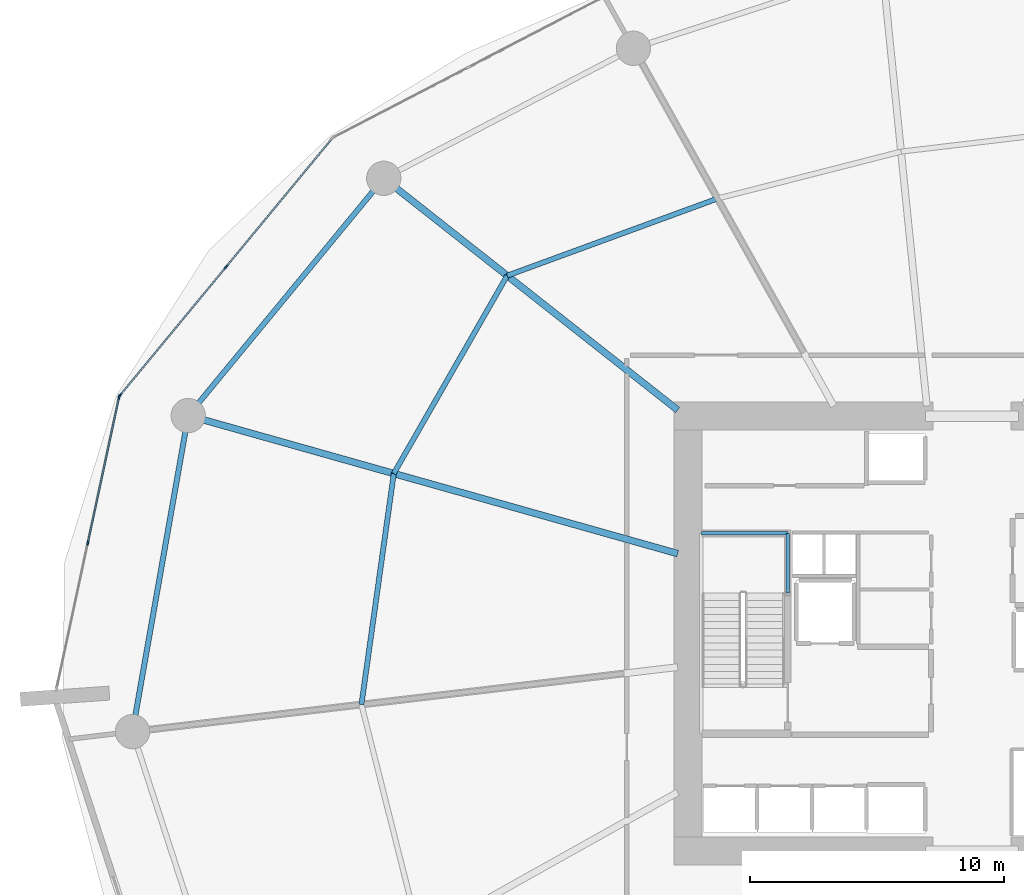
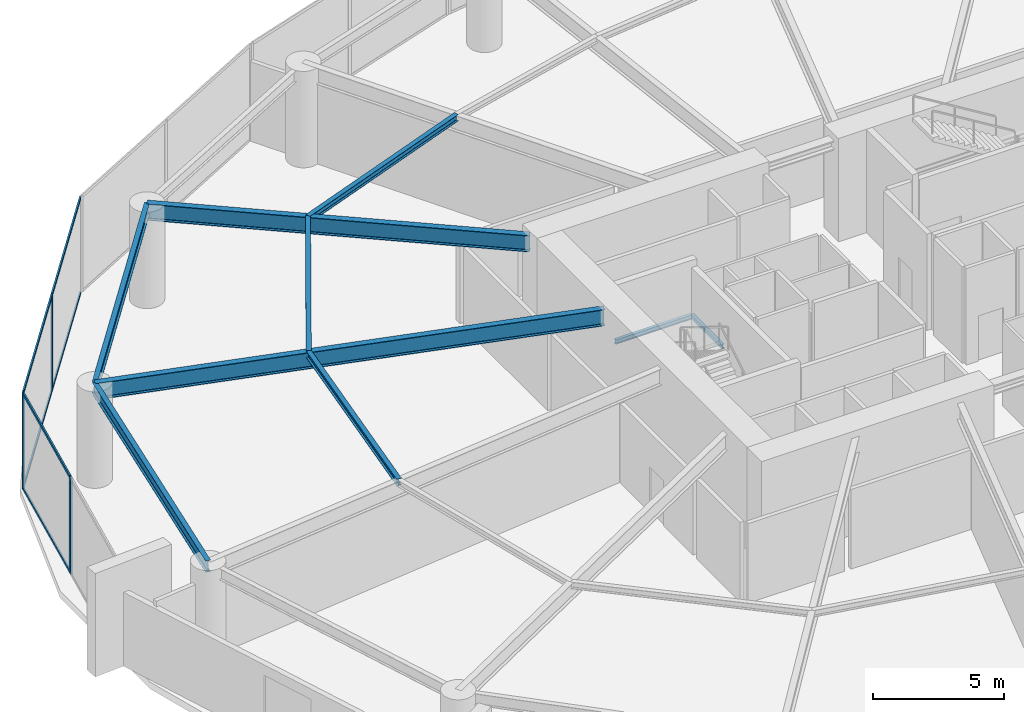
# One storey, part 12 of 22: 10 members, 9 beams, 2 elements without a shape of their own.
"""IFC4 building model written with IfcOpenShell, lengths in metres."""

from ifc_helpers import new_model, si_unit, direction, frame, origin, origin_2d, place, context, subcontext, project, spatial, rectangle, i_section, extrude, material, layer, layer_set, material_profile, profile_set, type_object, element, aggregate, save


model = new_model("IFC4")

# Units and contexts
model_context = context("Model", 3, precision=1e-05, world=origin(), true_north=direction((0.0, 1.0)))
body_context = subcontext(model_context, "Body", "Model", "MODEL_VIEW")
ifc_project = project(units=[si_unit("LENGTHUNIT", "METRE"), si_unit("AREAUNIT", "SQUARE_METRE"), si_unit("VOLUMEUNIT", "CUBIC_METRE"), si_unit("PLANEANGLEUNIT", "RADIAN"), si_unit("MASSUNIT", "GRAM", prefix="KILO")], contexts=[model_context])

# Site, building, storey
site_placement = place(None, origin())
site = spatial("IfcSite", under=ifc_project, at=site_placement, CompositionType="ELEMENT")
building_placement = place(site_placement, origin())
building = spatial("IfcBuilding", under=site, at=building_placement, Name="Kazma Halo Residences", CompositionType="ELEMENT")
storey_placement = place(building_placement, frame((0.0, 0.0, 12.0)))
storey = spatial("IfcBuildingStorey", under=building, at=storey_placement, Name="L02", CompositionType="ELEMENT", Elevation=12.0)

# Beams
ifc_material_1 = material(Name="Steel S355", Category="steel")
ifc_material_profile_1 = material_profile(ifc_material_1, i_section(OverallWidth=0.26708984375, OverallDepth=0.761962890625, WebThickness=0.014404296875, FlangeThickness=0.021484375, FilletRadius=0.02001953125, at=origin_2d()), Name="W760x173")
ifc_profile_set_1 = profile_set([ifc_material_profile_1], Name="Steel S355")
beam_type_1 = type_object("IfcBeamType", Name="BM-POD-W760", PredefinedType="BEAM", material=ifc_profile_set_1)
beam_1_placement = place(storey_placement, frame((36.85009765625, 50.7900390625, 4.09912109375), z_axis=(-0.785321582594, 0.619088048594, 0.0), x_axis=(-0.619088048594, -0.785321582594, 0.0)))
element("IfcBeam", 1, at=beam_1_placement, inside=storey, type_object=beam_type_1, Name="L02 radial floor beam 06", PredefinedType="BEAM", context=body_context, shape_type="SweptSolid", body=[
    extrude(i_section(OverallWidth=0.26708984375, OverallDepth=0.761962890625, WebThickness=0.014404296875, FlangeThickness=0.021484375, FilletRadius=0.02001953125, at=origin_2d()), origin(), (0.0, 0.0, 1.0), 14.718994140625),
])
beam_2_placement = place(storey_placement, frame((36.85009765625, 45.14453125, 4.09912109375), z_axis=(-0.962454909869, 0.271441607845, 0.0), x_axis=(-0.271441607845, -0.962454909869, 0.0)))
element("IfcBeam", 2, at=beam_2_placement, inside=storey, type_object=beam_type_1, Name="L02 radial floor beam 07", PredefinedType="BEAM", context=body_context, shape_type="SweptSolid", body=[
    extrude(i_section(OverallWidth=0.26708984375, OverallDepth=0.761962890625, WebThickness=0.014404296875, FlangeThickness=0.021484375, FilletRadius=0.02001953125, at=origin_2d()), origin(), (0.0, 0.0, 1.0), 19.99853515625),
])
ifc_material_profile_2 = material_profile(ifc_material_1, i_section(OverallWidth=0.202880859375, OverallDepth=0.302978515625, WebThickness=0.007568359375, FlangeThickness=0.01318359375, FilletRadius=0.013916015625, at=origin_2d()), Name="W310x60")
ifc_profile_set_2 = profile_set([ifc_material_profile_2], Name="Steel S355")
beam_type_2 = type_object("IfcBeamType", Name="BM-SEC-W310A", PredefinedType="JOIST", material=ifc_profile_set_2)
beam_3_placement = place(storey_placement, frame((38.419189453125, 59.10791015625, 4.32861328125), z_axis=(-0.938908549767, -0.344166725838, 0.0), x_axis=(0.344166725838, -0.938908549767, 0.0)))
element("IfcBeam", 3, at=beam_3_placement, inside=storey, type_object=beam_type_2, Name="L02 circumferential floor joist 05", PredefinedType="JOIST", context=body_context, shape_type="SweptSolid", body=[
    extrude(i_section(OverallWidth=0.202880859375, OverallDepth=0.302978515625, WebThickness=0.007568359375, FlangeThickness=0.01318359375, FilletRadius=0.013916015625, at=origin_2d()), origin(), (0.0, 0.0, 1.0), 8.811767578125),
])
beam_4_placement = place(storey_placement, frame((30.145751953125, 56.0751953125, 4.32861328125), z_axis=(-0.497199727341, -0.867636116775, 0.0), x_axis=(0.867636116775, -0.497199727341, 0.0)))
element("IfcBeam", 4, at=beam_4_placement, inside=storey, type_object=beam_type_2, Name="L02 circumferential floor joist 06", PredefinedType="JOIST", context=body_context, shape_type="SweptSolid", body=[
    extrude(i_section(OverallWidth=0.202880859375, OverallDepth=0.302978515625, WebThickness=0.007568359375, FlangeThickness=0.01318359375, FilletRadius=0.013916015625, at=origin_2d()), origin(), (0.0, 0.0, 1.0), 8.96923828125),
])
beam_5_placement = place(storey_placement, frame((25.686279296875, 48.293212890625, 4.32861328125), z_axis=(-0.138581542975, -0.99035102663, 0.0), x_axis=(0.99035102663, -0.138581542975, 0.0)))
element("IfcBeam", 5, at=beam_5_placement, inside=storey, type_object=beam_type_2, Name="L02 circumferential floor joist 07", PredefinedType="JOIST", context=body_context, shape_type="SweptSolid", body=[
    extrude(i_section(OverallWidth=0.202880859375, OverallDepth=0.302978515625, WebThickness=0.007568359375, FlangeThickness=0.01318359375, FilletRadius=0.013916015625, at=origin_2d()), origin(), (0.0, 0.0, 1.0), 9.17333984375),
])
ifc_material_profile_3 = material_profile(ifc_material_1, i_section(OverallWidth=0.208984375, OverallDepth=0.532958984375, WebThickness=0.01025390625, FlangeThickness=0.015625, FilletRadius=0.01611328125, at=origin_2d()), Name="W530x92")
ifc_profile_set_3 = profile_set([ifc_material_profile_3], Name="Steel S355")
beam_type_3 = type_object("IfcBeamType", Name="BM-SPN-W530", PredefinedType="BEAM", material=ifc_profile_set_3)
beam_6_placement = place(storey_placement, frame((25.291015625, 59.90234375, 4.21337890625), z_axis=(-0.635989643733, -0.771697591718, 0.0), x_axis=(0.771697591718, -0.635989643733, 0.0)))
element("IfcBeam", 6, at=beam_6_placement, inside=storey, type_object=beam_type_3, Name="L02 perimeter ring beam 06", PredefinedType="BEAM", context=body_context, shape_type="SweptSolid", body=[
    extrude(i_section(OverallWidth=0.208984375, OverallDepth=0.532958984375, WebThickness=0.01025390625, FlangeThickness=0.015625, FilletRadius=0.01611328125, at=origin_2d()), origin(), (0.0, 0.0, 1.0), 12.08935546875),
])
beam_7_placement = place(storey_placement, frame((17.602294921875, 50.572998046875, 4.21337890625), z_axis=(-0.173657334149, -0.984806138434, 0.0), x_axis=(0.984806138434, -0.173657334149, 0.0)))
element("IfcBeam", 7, at=beam_7_placement, inside=storey, type_object=beam_type_3, Name="L02 perimeter ring beam 07", PredefinedType="BEAM", context=body_context, shape_type="SweptSolid", body=[
    extrude(i_section(OverallWidth=0.208984375, OverallDepth=0.532958984375, WebThickness=0.01025390625, FlangeThickness=0.015625, FilletRadius=0.01611328125, at=origin_2d()), origin(), (0.0, 0.0, 1.0), 12.6220703125),
])
ifc_material_profile_4 = material_profile(ifc_material_1, i_section(OverallWidth=0.133056640625, OverallDepth=0.20703125, WebThickness=0.005859375, FlangeThickness=0.00830078125, FilletRadius=0.010009765625, at=origin_2d()), Name="W200x26.6")
ifc_profile_set_4 = profile_set([ifc_material_profile_4], Name="Steel S355")
beam_type_4 = type_object("IfcBeamType", Name="BM-TRIM-W200", PredefinedType="BEAM", material=ifc_profile_set_4)
beam_8_placement = place(storey_placement, frame((41.179931640625, 43.590087890625, 2.094970703125), z_axis=(0.0, 1.0, 0.0), x_axis=(-1.0, 0.0, 0.0)))
element("IfcBeam", 8, at=beam_8_placement, inside=storey, type_object=beam_type_4, Name="L02 ST-01 landing east wall ledger", PredefinedType="BEAM", context=body_context, shape_type="SweptSolid", body=[
    extrude(i_section(OverallWidth=0.133056640625, OverallDepth=0.20703125, WebThickness=0.005859375, FlangeThickness=0.00830078125, FilletRadius=0.010009765625, at=origin_2d()), origin(), (0.0, 0.0, 1.0), 2.349853515625),
])
beam_9_placement = place(storey_placement, frame((37.780029296875, 45.93994140625, 2.094970703125), z_axis=(1.0, 0.0, 0.0), x_axis=(0.0, 1.0, 0.0)))
element("IfcBeam", 9, at=beam_9_placement, inside=storey, type_object=beam_type_4, Name="L02 ST-01 landing end wall ledger", PredefinedType="BEAM", context=body_context, shape_type="SweptSolid", body=[
    extrude(i_section(OverallWidth=0.133056640625, OverallDepth=0.20703125, WebThickness=0.005859375, FlangeThickness=0.00830078125, FilletRadius=0.010009765625, at=origin_2d()), origin(), (0.0, 0.0, 1.0), 3.39990234375),
])

# Curtain wall, members
ifc_material_2 = material(Name="Aluminium AW-6063 T6 and Triple-Silver Low-E Glass", Category="aluminium")
ifc_layer = layer(ifc_material_2, 0.179931640625)
ifc_layer_set = layer_set([ifc_layer], Name="Aluminium AW-6063 T6 and Triple-Silver Low-E Glass")
curtain_wall_type = type_object("IfcCurtainWallType", Name="CW-SYS-1", PredefinedType="NOTDEFINED", material=ifc_layer_set)
curtain_wall_1_placement = place(storey_placement, origin())
curtain_wall_1 = element("IfcCurtainWall", 10, at=curtain_wall_1_placement, inside=storey, type_object=curtain_wall_type, Name="L02 unitised curtain wall B06", PredefinedType="NOTDEFINED")
ifc_material_3 = material(Name="Aluminium AW-6063 T6", Category="aluminium")
ifc_material_profile_5 = material_profile(ifc_material_3, rectangle(XDim=0.06494140625, YDim=0.179931640625, at=origin_2d()), Name="CWM-65x180")
ifc_profile_set_5 = profile_set([ifc_material_profile_5], Name="Aluminium AW-6063 T6")
member_type_1 = type_object("IfcMemberType", Name="CW-SYS-1-MUL", PredefinedType="MULLION", material=ifc_profile_set_5)
member_1_placement = place(storey_placement, frame((19.084716796875, 56.4140625, 0.0), z_axis=(0.0, 0.0, 1.0), x_axis=(0.771191775002, -0.636602895194, 0.0)))
member_1 = element("IfcMember", 11, at=member_1_placement, type_object=member_type_1, Name="CWS-1 mullion 2", PredefinedType="MULLION", context=body_context, shape_type="SweptSolid", body=[
    extrude(rectangle(XDim=0.06494140625, YDim=0.179931640625, at=origin_2d()), origin(), (0.0, 0.0, 1.0), 4.47998046875),
])
member_2_placement = place(storey_placement, frame((14.91455078125, 51.362060546875, 0.0), z_axis=(0.0, 0.0, 1.0), x_axis=(0.771191775002, -0.636602895194, 0.0)))
member_2 = element("IfcMember", 12, at=member_2_placement, type_object=member_type_1, Name="CWS-1 mullion 3", PredefinedType="MULLION", context=body_context, shape_type="SweptSolid", body=[
    extrude(rectangle(XDim=0.06494140625, YDim=0.179931640625, at=origin_2d()), origin(), (0.0, 0.0, 1.0), 4.47998046875),
])

curtain_wall_2_placement = place(storey_placement, origin())
curtain_wall_2 = element("IfcCurtainWall", 13, at=curtain_wall_2_placement, inside=storey, type_object=curtain_wall_type, Name="L02 unitised curtain wall B07", PredefinedType="NOTDEFINED")
member_3_placement = place(storey_placement, frame((14.886962890625, 51.30517578125, 0.0), z_axis=(0.0, 0.0, 1.0), x_axis=(0.977788157631, -0.209595607771, 0.0)))
member_3 = element("IfcMember", 14, at=member_3_placement, type_object=member_type_1, Name="CWS-1 mullion 1", PredefinedType="MULLION", context=body_context, shape_type="SweptSolid", body=[
    extrude(rectangle(XDim=0.06494140625, YDim=0.179931640625, at=origin_2d()), origin(), (0.0, 0.0, 1.0), 4.47998046875),
])
member_4_placement = place(storey_placement, frame((13.656494140625, 45.564697265625, 0.0), z_axis=(0.0, 0.0, 1.0), x_axis=(0.977788157631, -0.209595607771, 0.0)))
member_4 = element("IfcMember", 15, at=member_4_placement, type_object=member_type_1, Name="CWS-1 mullion 2", PredefinedType="MULLION", context=body_context, shape_type="SweptSolid", body=[
    extrude(rectangle(XDim=0.06494140625, YDim=0.179931640625, at=origin_2d()), origin(), (0.0, 0.0, 1.0), 4.47998046875),
])

# Member
ifc_material_profile_6 = material_profile(ifc_material_3, rectangle(XDim=0.06494140625, YDim=0.135009765625, at=origin_2d()), Name="CWT-65x135")
ifc_profile_set_6 = profile_set([ifc_material_profile_6], Name="Aluminium AW-6063 T6")
member_type_2 = type_object("IfcMemberType", Name="CW-SYS-1-TRN", PredefinedType="USERDEFINED", material=ifc_profile_set_6)
member_5_placement = place(storey_placement, frame((23.234375, 61.44091796875, 0.032470703125), z_axis=(-0.636593466061, -0.771199558459, 0.0), x_axis=(0.771199558459, -0.636593466061, 0.0)))
member_5 = element("IfcMember", 16, at=member_5_placement, type_object=member_type_2, Name="CWS-1 transom 1.1", ObjectType="TRANSOM", PredefinedType="USERDEFINED", context=body_context, shape_type="SweptSolid", body=[
    extrude(rectangle(XDim=0.06494140625, YDim=0.135009765625, at=origin_2d()), origin(), (0.0, 0.0, 1.0), 6.48583984375),
])

member_6_placement = place(storey_placement, frame((23.234375, 61.44091796875, 4.447509765625), z_axis=(-0.636593466061, -0.771199558459, 0.0), x_axis=(0.771199558459, -0.636593466061, 0.0)))
member_6 = element("IfcMember", 17, at=member_6_placement, type_object=member_type_2, Name="CWS-1 transom 1.2", ObjectType="TRANSOM", PredefinedType="USERDEFINED", context=body_context, shape_type="SweptSolid", body=[
    extrude(rectangle(XDim=0.06494140625, YDim=0.135009765625, at=origin_2d()), origin(), (0.0, 0.0, 1.0), 6.48583984375),
])

member_7_placement = place(storey_placement, frame((19.064208984375, 56.388916015625, 0.032470703125), z_axis=(-0.636615852507, -0.771181078825, 0.0), x_axis=(0.771181078825, -0.636615852507, 0.0)))
member_7 = element("IfcMember", 18, at=member_7_placement, type_object=member_type_2, Name="CWS-1 transom 2.1", ObjectType="TRANSOM", PredefinedType="USERDEFINED", context=body_context, shape_type="SweptSolid", body=[
    extrude(rectangle(XDim=0.06494140625, YDim=0.135009765625, at=origin_2d()), origin(), (0.0, 0.0, 1.0), 6.486083984375),
])

member_8_placement = place(storey_placement, frame((19.064208984375, 56.388916015625, 4.447509765625), z_axis=(-0.636615852507, -0.771181078825, 0.0), x_axis=(0.771181078825, -0.636615852507, 0.0)))
member_8 = element("IfcMember", 19, at=member_8_placement, type_object=member_type_2, Name="CWS-1 transom 2.2", ObjectType="TRANSOM", PredefinedType="USERDEFINED", context=body_context, shape_type="SweptSolid", body=[
    extrude(rectangle(XDim=0.06494140625, YDim=0.135009765625, at=origin_2d()), origin(), (0.0, 0.0, 1.0), 6.486083984375),
])

aggregate(curtain_wall_1, [member_1, member_2, member_5, member_6, member_7, member_8])

member_9_placement = place(storey_placement, frame((14.880126953125, 51.2734375, 0.032470703125), z_axis=(-0.209577907659, -0.977791951604, 0.0), x_axis=(0.977791951604, -0.209577907659, 0.0)))
member_9 = element("IfcMember", 20, at=member_9_placement, type_object=member_type_2, Name="CWS-1 transom 1.1", ObjectType="TRANSOM", PredefinedType="USERDEFINED", context=body_context, shape_type="SweptSolid", body=[
    extrude(rectangle(XDim=0.06494140625, YDim=0.135009765625, at=origin_2d()), origin(), (0.0, 0.0, 1.0), 5.805908203125),
])

member_10_placement = place(storey_placement, frame((14.880126953125, 51.2734375, 4.447509765625), z_axis=(-0.209577907659, -0.977791951604, 0.0), x_axis=(0.977791951604, -0.209577907659, 0.0)))
member_10 = element("IfcMember", 21, at=member_10_placement, type_object=member_type_2, Name="CWS-1 transom 1.2", ObjectType="TRANSOM", PredefinedType="USERDEFINED", context=body_context, shape_type="SweptSolid", body=[
    extrude(rectangle(XDim=0.06494140625, YDim=0.135009765625, at=origin_2d()), origin(), (0.0, 0.0, 1.0), 5.805908203125),
])

aggregate(curtain_wall_2, [member_3, member_4, member_9, member_10])

save(model, "model.ifc")
